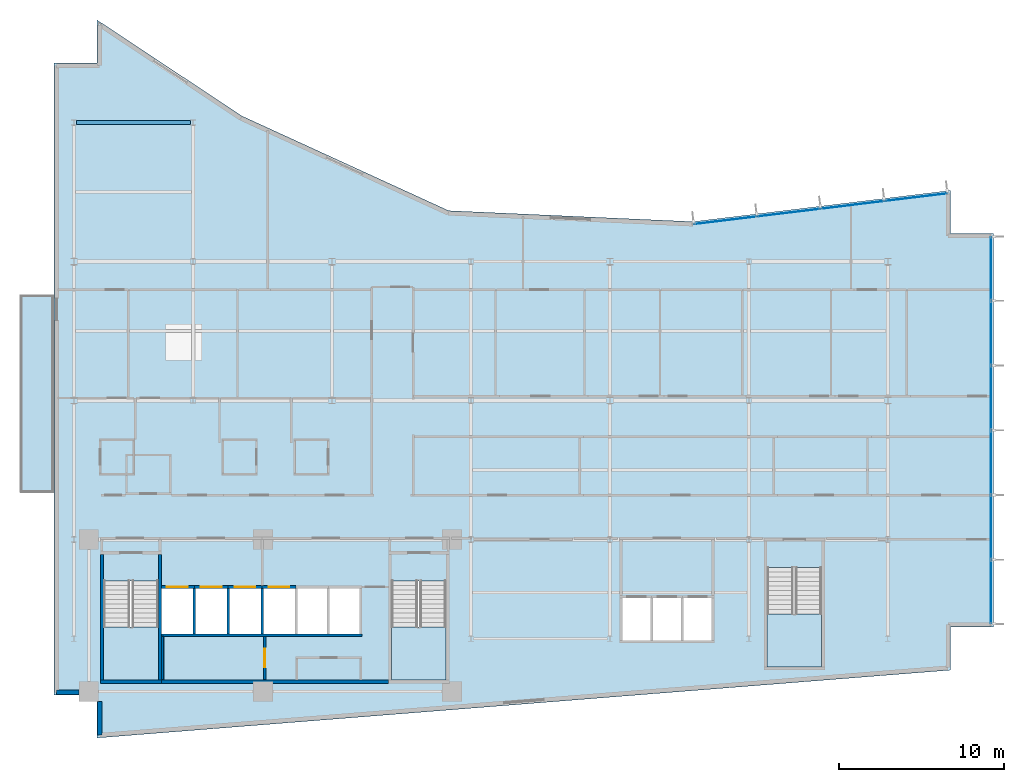
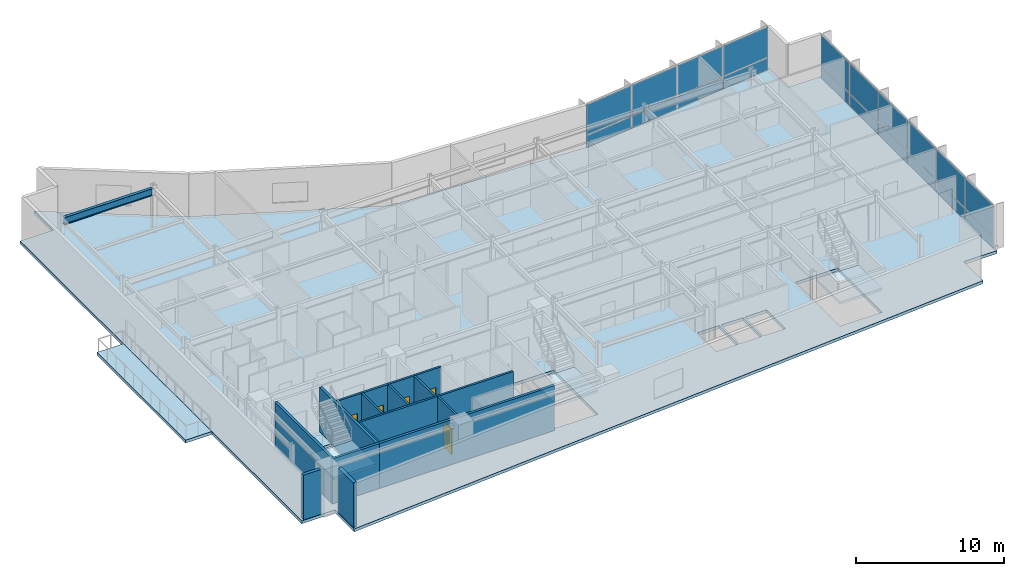
# One storey, part 9 of 17: 20 plates, 16 walls, 5 doors, 5 slabs, 1 beam, 5 openings, 5 elements without a shape of their own.
"""IFC4 building model written with IfcOpenShell, lengths in metres."""

import ifcopenshell
import ifcopenshell.guid

model = None  # the IFC model being written
_history = None  # IfcOwnerHistory: only IFC2X3 demands one
_inside = {}  # id of a spatial element -> (the spatial element, [elements in it])
_under = {}  # id of a project, library or spatial element -> (it, [spatial elements below it])
_declared = {}  # id of a project -> (the project, [libraries it declares])
_typed = {}  # id of a type object -> (the type object, [elements of that type])
_made_of = {}  # id of a material, layer set ... -> (it, [elements and type objects made of it])


def new_model(schema):
    """Start an empty IFC model of exactly this schema.

    Asked for "IFC4X3", IfcOpenShell would pick the latest addendum, in which some entities
    have other attributes; the version numbers below select the first issue.
    IFC2X3 requires an IfcOwnerHistory on every rooted entity: one is made here for all.
    """
    global model, _history
    if schema == "IFC4X3":
        model = ifcopenshell.file(schema_version=(4, 3, 0, 0))
    else:
        model = ifcopenshell.file(schema=schema)
    _inside.clear()
    _under.clear()
    _declared.clear()
    _typed.clear()
    _made_of.clear()
    _history = None
    if model.schema == "IFC2X3":
        org = make("IfcOrganization", Name="unknown")
        user = make(
            "IfcPersonAndOrganization",
            ThePerson=make("IfcPerson", FamilyName="unknown"),
            TheOrganization=org,
        )
        app = make(
            "IfcApplication",
            ApplicationDeveloper=org,
            Version="unknown",
            ApplicationFullName="unknown",
            ApplicationIdentifier="unknown",
        )
        _history = make(
            "IfcOwnerHistory",
            OwningUser=user,
            OwningApplication=app,
            ChangeAction="ADDED",
            CreationDate=0,
        )
    return model


def make(cls, **values):
    """One entity of the class cls with the attributes given. An attribute that is None is left unset."""
    return model.create_entity(
        cls, **{name: value for name, value in values.items() if value is not None}
    )


def rooted(cls, **values):
    """An entity with a GlobalId (a new one), such as an element, a storey or a relation."""
    return make(cls, GlobalId=ifcopenshell.guid.new(), OwnerHistory=_history, **values)


def si_unit(unit_type, name, prefix=None):
    """IfcSIUnit, for example si_unit("LENGTHUNIT", "METRE", prefix="MILLI")."""
    return make("IfcSIUnit", UnitType=unit_type, Prefix=prefix, Name=name)


def assignment(units):
    """IfcUnitAssignment: the units of a project."""
    return None if units is None else make("IfcUnitAssignment", Units=units)


def point(xyz):
    """IfcCartesianPoint."""
    return None if xyz is None else make("IfcCartesianPoint", Coordinates=xyz)


def direction(xyz):
    """IfcDirection."""
    return None if xyz is None else make("IfcDirection", DirectionRatios=xyz)


def frame(location, z_axis=None, x_axis=None):
    """IfcAxis2Placement3D, a coordinate frame: its origin and axes. An axis left out is left unset."""
    return make(
        "IfcAxis2Placement3D",
        Location=point(location),
        Axis=direction(z_axis),
        RefDirection=direction(x_axis),
    )


def frame_2d(location, x_axis=None):
    """IfcAxis2Placement2D, a coordinate frame in the plane: its origin and x axis."""
    return make(
        "IfcAxis2Placement2D", Location=point(location), RefDirection=direction(x_axis)
    )


def origin():
    """The frame at (0, 0, 0) with its axes left unset."""
    return frame((0.0, 0.0, 0.0))


def origin_2d():
    """The frame at (0, 0) in the plane with its x axis left unset."""
    return frame_2d((0.0, 0.0))


def place(relative_to, where):
    """IfcLocalPlacement: puts the frame where relative to a parent placement (None: the world)."""
    return make(
        "IfcLocalPlacement", PlacementRelTo=relative_to, RelativePlacement=where
    )


def context(
    kind, dimensions, precision=None, world=None, true_north=None, identifier=None
):
    """IfcGeometricRepresentationContext, for example the 3D "Model" context."""
    return make(
        "IfcGeometricRepresentationContext",
        ContextIdentifier=identifier,
        ContextType=kind,
        CoordinateSpaceDimension=dimensions,
        Precision=precision,
        WorldCoordinateSystem=world,
        TrueNorth=true_north,
    )


def subcontext(parent, identifier, kind, view, scale=None):
    """IfcGeometricRepresentationSubContext, for example "Body" below "Model"."""
    return make(
        "IfcGeometricRepresentationSubContext",
        ContextIdentifier=identifier,
        ContextType=kind,
        ParentContext=parent,
        TargetScale=scale,
        TargetView=view,
    )


def project(units=None, contexts=None):
    """IfcProject with its units and contexts."""
    return rooted(
        "IfcProject",
        Name="project",
        RepresentationContexts=contexts,
        UnitsInContext=assignment(units),
    )


def spatial(cls, under=None, at=None, **own):
    """A site, building, storey or space (cls), placed at a placement, below another one or the project."""
    s = rooted(cls, ObjectPlacement=at, **own)
    if under is not None:
        _under.setdefault(under.id(), (under, []))[1].append(s)
    return s


def polyline(points):
    """IfcPolyline through the points."""
    return make("IfcPolyline", Points=[point(p) for p in points])


def profile(cls, at=None, kind="AREA", **sizes):
    """A parametric profile (cls). Its sizes go by their IFC names, for example OverallWidth=200.0."""
    return make(cls, ProfileType=kind, Position=at, **sizes)


def rectangle(**sizes):
    """IfcRectangleProfileDef."""
    return profile("IfcRectangleProfileDef", **sizes)


def i_section(**sizes):
    """IfcIShapeProfileDef."""
    return profile("IfcIShapeProfileDef", **sizes)


def outline(outer, holes=None, kind="AREA"):
    """IfcArbitraryClosedProfileDef: a profile drawn as a closed curve; with holes, ...WithVoids."""
    if holes is None:
        return make("IfcArbitraryClosedProfileDef", ProfileType=kind, OuterCurve=outer)
    return make(
        "IfcArbitraryProfileDefWithVoids",
        ProfileType=kind,
        OuterCurve=outer,
        InnerCurves=holes,
    )


def extrude(swept, where, along, depth):
    """IfcExtrudedAreaSolid: the profile swept, set in the frame where, extruded along a direction by depth."""
    return make(
        "IfcExtrudedAreaSolid",
        SweptArea=swept,
        Position=where,
        ExtrudedDirection=direction(along),
        Depth=depth,
    )


def shape(context_of_items, identifier, shape_type, items):
    """IfcShapeRepresentation: the items that make up one representation, for example the "Body"."""
    return make(
        "IfcShapeRepresentation",
        ContextOfItems=context_of_items,
        RepresentationIdentifier=identifier,
        RepresentationType=shape_type,
        Items=items,
    )


def material(Name=None, Category=None):
    """IfcMaterial."""
    return make("IfcMaterial", Name=Name, Category=Category)


def layer(
    of_material, thickness, ventilated=None, Name=None, Category=None, Priority=None
):
    """IfcMaterialLayer: one layer of a wall or slab, of a material (None: an air gap)."""
    return make(
        "IfcMaterialLayer",
        Material=of_material,
        LayerThickness=thickness,
        IsVentilated=ventilated,
        Name=Name,
        Category=Category,
        Priority=Priority,
    )


def layer_set(layers, Name=None):
    """IfcMaterialLayerSet."""
    return make("IfcMaterialLayerSet", MaterialLayers=layers, LayerSetName=Name)


def material_profile(
    of_material, cross_section, Name=None, Category=None, Priority=None
):
    """IfcMaterialProfile: a cross section and its material."""
    return make(
        "IfcMaterialProfile",
        Name=Name,
        Material=of_material,
        Profile=cross_section,
        Priority=Priority,
        Category=Category,
    )


def profile_set(profiles, Name=None, composite=None):
    """IfcMaterialProfileSet."""
    return make(
        "IfcMaterialProfileSet",
        Name=Name,
        MaterialProfiles=profiles,
        CompositeProfile=composite,
    )


def made_of(thing, what):
    """Note that an element or type object is made of a material, layer set ...; save() writes the relation."""
    if what is not None:
        _made_of.setdefault(what.id(), (what, []))[1].append(thing)
    return thing


def type_object(cls, material=None, **own):
    """A type object (cls), such as IfcWallType, which elements share."""
    return made_of(rooted(cls, **own), material)


def element(
    cls,
    number,
    at=None,
    inside=None,
    cuts=None,
    type_object=None,
    material=None,
    context=None,
    identifier="Body",
    shape_type=None,
    held_by="IfcProductDefinitionShape",
    body=None,
    shapes=None,
    **own,
):
    """One element of the class cls, such as IfcWall. Its Tag is "e" and its number.

    at: its placement. inside: the storey or other place that contains it. cuts: it is an
    opening in that element (IfcRelVoidsElement). A single representation is given by context,
    identifier, shape_type and body (its items); several are given by shapes. held_by: the class
    of the entity that holds the representations. save() writes the other relations.
    """
    e = rooted(cls, Tag="e%d" % number, ObjectPlacement=at, **own)
    if body is not None:
        shapes = [shape(context, identifier, shape_type, body)]
    if shapes is not None:
        e.Representation = make(held_by, Representations=shapes)
    if inside is not None:
        _inside.setdefault(inside.id(), (inside, []))[1].append(e)
    if cuts is not None:
        rooted(
            "IfcRelVoidsElement", RelatingBuildingElement=cuts, RelatedOpeningElement=e
        )
    if type_object is not None:
        _typed.setdefault(type_object.id(), (type_object, []))[1].append(e)
    return made_of(e, material)


def fill(opening, filler):
    """IfcRelFillsElement: the door or window that sits in an opening."""
    return rooted(
        "IfcRelFillsElement",
        RelatingOpeningElement=opening,
        RelatedBuildingElement=filler,
    )


def aggregate(whole, parts):
    """IfcRelAggregates: a whole, such as a stair, and the parts it consists of."""
    return rooted("IfcRelAggregates", RelatingObject=whole, RelatedObjects=parts)


def save(model, path):
    """Write the relations noted so far, then the file.

    IfcRelAggregates (storeys below a building ...), IfcRelContainedInSpatialStructure (elements
    in a storey), IfcRelDefinesByType, IfcRelAssociatesMaterial and IfcRelDeclares: one each for
    every whole, place, type object, material and project.
    """
    for whole, parts in _under.values():
        aggregate(whole, parts)
    for where, things in _inside.values():
        rooted(
            "IfcRelContainedInSpatialStructure",
            RelatedElements=things,
            RelatingStructure=where,
        )
    for kind, things in _typed.values():
        rooted("IfcRelDefinesByType", RelatedObjects=things, RelatingType=kind)
    for what, things in _made_of.values():
        rooted("IfcRelAssociatesMaterial", RelatedObjects=things, RelatingMaterial=what)
    for by, libraries in _declared.values():
        rooted("IfcRelDeclares", RelatingContext=by, RelatedDefinitions=libraries)
    model.write(path)


model = new_model("IFC4")

# Units and contexts
model_context = context("Model", 3, precision=1e-05, world=origin(), true_north=direction((0.0, 1.0)))
body_context = subcontext(model_context, "Body", "Model", "MODEL_VIEW")
ifc_project = project(units=[si_unit("LENGTHUNIT", "METRE"), si_unit("AREAUNIT", "SQUARE_METRE"), si_unit("VOLUMEUNIT", "CUBIC_METRE"), si_unit("PLANEANGLEUNIT", "RADIAN"), si_unit("MASSUNIT", "GRAM", prefix="KILO")], contexts=[model_context])

# Site, building, storey
site_placement = place(None, origin())
site = spatial("IfcSite", under=ifc_project, at=site_placement, CompositionType="ELEMENT")
building_placement = place(site_placement, origin())
building = spatial("IfcBuilding", under=site, at=building_placement, Name="Varnakote Quay Hospital", CompositionType="ELEMENT")
storey_placement = place(building_placement, frame((0.0, 0.0, 127.050048828125)))
storey = spatial("IfcBuildingStorey", under=building, at=storey_placement, Name="L31", CompositionType="ELEMENT", Elevation=127.050048828125)

# Beam
ifc_material_1 = material(Name="Structural steel AS/NZS 3679.1 Grade 350 L0 (fy 340 MPa)", Category="steel")
ifc_material_profile = material_profile(ifc_material_1, i_section(OverallWidth=0.22802734375, OverallDepth=0.60205078125, WebThickness=0.010498046875, FlangeThickness=0.014892578125, FilletRadius=0.013916015625, at=origin_2d()), Name="610UB101")
ifc_profile_set = profile_set([ifc_material_profile], Name="Structural steel AS/NZS 3679.1 Grade 350 L0 (fy 340 MPa)")
beam_type = type_object("IfcBeamType", Name="BM-STL-610UB101", PredefinedType="BEAM", material=ifc_profile_set)
beam_placement = place(storey_placement, frame((1.3544921875, 37.199951171875, 3.408935546875), z_axis=(1.0, 0.0, 0.0), x_axis=(0.0, 1.0, 0.0)))
element("IfcBeam", 1, at=beam_placement, inside=storey, type_object=beam_type, Name="L31 Primary Floor Beam", PredefinedType="BEAM", context=body_context, shape_type="SweptSolid", body=[
    extrude(i_section(OverallWidth=0.22802734375, OverallDepth=0.60205078125, WebThickness=0.010498046875, FlangeThickness=0.014892578125, FilletRadius=0.013916015625, at=origin_2d()), origin(), (0.0, 0.0, 1.0), 6.89111328125),
])

# Curtain wall, plates
ifc_material_2 = material(Name="Anodised aluminium 6063-T6 Bronze", Category="aluminium")
ifc_layer_1 = layer(ifc_material_2, 0.205078125)
ifc_layer_set_1 = layer_set([ifc_layer_1], Name="Anodised aluminium 6063-T6 Bronze")
curtain_wall_type = type_object("IfcCurtainWallType", Name="CW-SYS-3", PredefinedType="NOTDEFINED", material=ifc_layer_set_1)
curtain_wall_1_placement = place(storey_placement, origin())
curtain_wall_1 = element("IfcCurtainWall", 2, at=curtain_wall_1_placement, inside=storey, type_object=curtain_wall_type, Name="L31 Unitised Bronze Curtain Wall 1", PredefinedType="NOTDEFINED")
ifc_material_3 = material(Name="Double-glazed low-E solar glass", Category="glass")
ifc_layer_2 = layer(ifc_material_3, 0.028076171875)
ifc_layer_set_2 = layer_set([ifc_layer_2], Name="Double-glazed low-E solar glass")
plate_type = type_object("IfcPlateType", Name="CW-PNL-GLZ-28", PredefinedType="CURTAIN_PANEL", material=ifc_layer_set_2)
plate_1_placement = place(storey_placement, frame((56.639892578125, 8.83544921875, 0.07470703125), z_axis=(0.0, 0.0, 1.0), x_axis=(0.0, 1.0, 0.0)))
plate_1 = element("IfcPlate", 3, at=plate_1_placement, type_object=plate_type, Name="-3-L31-1 panel 1.1", PredefinedType="CURTAIN_PANEL", context=body_context, shape_type="SweptSolid", body=[
    extrude(rectangle(XDim=3.80078125, YDim=0.028076171875, at=origin_2d()), origin(), (0.0, 0.0, 1.0), 0.987548828125),
])
plate_2_placement = place(storey_placement, frame((56.639892578125, 8.83544921875, 1.137451171875), z_axis=(0.0, 0.0, 1.0), x_axis=(0.0, 1.0, 0.0)))
plate_2 = element("IfcPlate", 4, at=plate_2_placement, type_object=plate_type, Name="-3-L31-1 panel 1.2", PredefinedType="CURTAIN_PANEL", context=body_context, shape_type="SweptSolid", body=[
    extrude(rectangle(XDim=3.80078125, YDim=0.028076171875, at=origin_2d()), origin(), (0.0, 0.0, 1.0), 2.49755859375),
])
plate_3_placement = place(storey_placement, frame((56.639892578125, 12.72998046875, 0.07470703125), z_axis=(0.0, 0.0, 1.0), x_axis=(0.0, 1.0, 0.0)))
plate_3 = element("IfcPlate", 5, at=plate_3_placement, type_object=plate_type, Name="-3-L31-1 panel 2.1", PredefinedType="CURTAIN_PANEL", context=body_context, shape_type="SweptSolid", body=[
    extrude(rectangle(XDim=3.83837890625, YDim=0.028076171875, at=origin_2d()), origin(), (0.0, 0.0, 1.0), 0.987548828125),
])
plate_4_placement = place(storey_placement, frame((56.639892578125, 12.72998046875, 1.137451171875), z_axis=(0.0, 0.0, 1.0), x_axis=(0.0, 1.0, 0.0)))
plate_4 = element("IfcPlate", 6, at=plate_4_placement, type_object=plate_type, Name="-3-L31-1 panel 2.2", PredefinedType="CURTAIN_PANEL", context=body_context, shape_type="SweptSolid", body=[
    extrude(rectangle(XDim=3.83837890625, YDim=0.028076171875, at=origin_2d()), origin(), (0.0, 0.0, 1.0), 2.49755859375),
])
plate_5_placement = place(storey_placement, frame((56.639892578125, 16.643310546875, 0.07470703125), z_axis=(0.0, 0.0, 1.0), x_axis=(0.0, 1.0, 0.0)))
plate_5 = element("IfcPlate", 7, at=plate_5_placement, type_object=plate_type, Name="-3-L31-1 panel 3.1", PredefinedType="CURTAIN_PANEL", context=body_context, shape_type="SweptSolid", body=[
    extrude(rectangle(XDim=3.83837890625, YDim=0.028076171875, at=origin_2d()), origin(), (0.0, 0.0, 1.0), 0.987548828125),
])
plate_6_placement = place(storey_placement, frame((56.639892578125, 16.643310546875, 1.137451171875), z_axis=(0.0, 0.0, 1.0), x_axis=(0.0, 1.0, 0.0)))
plate_6 = element("IfcPlate", 8, at=plate_6_placement, type_object=plate_type, Name="-3-L31-1 panel 3.2", PredefinedType="CURTAIN_PANEL", context=body_context, shape_type="SweptSolid", body=[
    extrude(rectangle(XDim=3.83837890625, YDim=0.028076171875, at=origin_2d()), origin(), (0.0, 0.0, 1.0), 2.49755859375),
])
plate_7_placement = place(storey_placement, frame((56.639892578125, 20.556640625, 0.07470703125), z_axis=(0.0, 0.0, 1.0), x_axis=(0.0, 1.0, 0.0)))
plate_7 = element("IfcPlate", 9, at=plate_7_placement, type_object=plate_type, Name="-3-L31-1 panel 4.1", PredefinedType="CURTAIN_PANEL", context=body_context, shape_type="SweptSolid", body=[
    extrude(rectangle(XDim=3.83837890625, YDim=0.028076171875, at=origin_2d()), origin(), (0.0, 0.0, 1.0), 0.987548828125),
])
plate_8_placement = place(storey_placement, frame((56.639892578125, 20.556640625, 1.137451171875), z_axis=(0.0, 0.0, 1.0), x_axis=(0.0, 1.0, 0.0)))
plate_8 = element("IfcPlate", 10, at=plate_8_placement, type_object=plate_type, Name="-3-L31-1 panel 4.2", PredefinedType="CURTAIN_PANEL", context=body_context, shape_type="SweptSolid", body=[
    extrude(rectangle(XDim=3.83837890625, YDim=0.028076171875, at=origin_2d()), origin(), (0.0, 0.0, 1.0), 2.49755859375),
])
plate_9_placement = place(storey_placement, frame((56.639892578125, 24.469970703125, 0.07470703125), z_axis=(0.0, 0.0, 1.0), x_axis=(0.0, 1.0, 0.0)))
plate_9 = element("IfcPlate", 11, at=plate_9_placement, type_object=plate_type, Name="-3-L31-1 panel 5.1", PredefinedType="CURTAIN_PANEL", context=body_context, shape_type="SweptSolid", body=[
    extrude(rectangle(XDim=3.83837890625, YDim=0.028076171875, at=origin_2d()), origin(), (0.0, 0.0, 1.0), 0.987548828125),
])
plate_10_placement = place(storey_placement, frame((56.639892578125, 24.469970703125, 1.137451171875), z_axis=(0.0, 0.0, 1.0), x_axis=(0.0, 1.0, 0.0)))
plate_10 = element("IfcPlate", 12, at=plate_10_placement, type_object=plate_type, Name="-3-L31-1 panel 5.2", PredefinedType="CURTAIN_PANEL", context=body_context, shape_type="SweptSolid", body=[
    extrude(rectangle(XDim=3.83837890625, YDim=0.028076171875, at=origin_2d()), origin(), (0.0, 0.0, 1.0), 2.49755859375),
])
plate_11_placement = place(storey_placement, frame((56.639892578125, 28.364501953125, 0.07470703125), z_axis=(0.0, 0.0, 1.0), x_axis=(0.0, 1.0, 0.0)))
plate_11 = element("IfcPlate", 13, at=plate_11_placement, type_object=plate_type, Name="-3-L31-1 panel 6.1", PredefinedType="CURTAIN_PANEL", context=body_context, shape_type="SweptSolid", body=[
    extrude(rectangle(XDim=3.80078125, YDim=0.028076171875, at=origin_2d()), origin(), (0.0, 0.0, 1.0), 0.987548828125),
])
plate_12_placement = place(storey_placement, frame((56.639892578125, 28.364501953125, 1.137451171875), z_axis=(0.0, 0.0, 1.0), x_axis=(0.0, 1.0, 0.0)))
plate_12 = element("IfcPlate", 14, at=plate_12_placement, type_object=plate_type, Name="-3-L31-1 panel 6.2", PredefinedType="CURTAIN_PANEL", context=body_context, shape_type="SweptSolid", body=[
    extrude(rectangle(XDim=3.80078125, YDim=0.028076171875, at=origin_2d()), origin(), (0.0, 0.0, 1.0), 2.49755859375),
])
aggregate(curtain_wall_1, [plate_1, plate_2, plate_3, plate_4, plate_5, plate_6, plate_7, plate_8, plate_9, plate_10, plate_11, plate_12])

curtain_wall_2_placement = place(storey_placement, origin())
curtain_wall_2 = element("IfcCurtainWall", 15, at=curtain_wall_2_placement, inside=storey, type_object=curtain_wall_type, Name="L31 Unitised Bronze Curtain Wall 2", PredefinedType="NOTDEFINED")
plate_13_placement = place(storey_placement, frame((52.09521484375, 32.68359375, 0.07470703125), z_axis=(0.0, 0.0, 1.0), x_axis=(-0.992734295067, -0.12032713492, 0.0)))
plate_13 = element("IfcPlate", 16, at=plate_13_placement, type_object=plate_type, Name="-3-L31-2 panel 1.1", PredefinedType="CURTAIN_PANEL", context=body_context, shape_type="SweptSolid", body=[
    extrude(rectangle(XDim=3.76806640625, YDim=0.028076171875, at=origin_2d()), origin(), (0.0, 0.0, 1.0), 0.987548828125),
])
plate_14_placement = place(storey_placement, frame((52.09521484375, 32.68359375, 1.137451171875), z_axis=(0.0, 0.0, 1.0), x_axis=(-0.992734295067, -0.12032713492, 0.0)))
plate_14 = element("IfcPlate", 17, at=plate_14_placement, type_object=plate_type, Name="-3-L31-2 panel 1.2", PredefinedType="CURTAIN_PANEL", context=body_context, shape_type="SweptSolid", body=[
    extrude(rectangle(XDim=3.76806640625, YDim=0.028076171875, at=origin_2d()), origin(), (0.0, 0.0, 1.0), 2.49755859375),
])
plate_15_placement = place(storey_placement, frame((48.26123046875, 32.218994140625, 0.07470703125), z_axis=(0.0, 0.0, 1.0), x_axis=(-0.992734295067, -0.12032713492, 0.0)))
plate_15 = element("IfcPlate", 18, at=plate_15_placement, type_object=plate_type, Name="-3-L31-2 panel 2.1", PredefinedType="CURTAIN_PANEL", context=body_context, shape_type="SweptSolid", body=[
    extrude(rectangle(XDim=3.8056640625, YDim=0.028076171875, at=origin_2d()), origin(), (0.0, 0.0, 1.0), 0.987548828125),
])
plate_16_placement = place(storey_placement, frame((48.26123046875, 32.218994140625, 1.137451171875), z_axis=(0.0, 0.0, 1.0), x_axis=(-0.992734295067, -0.12032713492, 0.0)))
plate_16 = element("IfcPlate", 19, at=plate_16_placement, type_object=plate_type, Name="-3-L31-2 panel 2.2", PredefinedType="CURTAIN_PANEL", context=body_context, shape_type="SweptSolid", body=[
    extrude(rectangle(XDim=3.8056640625, YDim=0.028076171875, at=origin_2d()), origin(), (0.0, 0.0, 1.0), 2.49755859375),
])
plate_17_placement = place(storey_placement, frame((44.40869140625, 31.751953125, 0.07470703125), z_axis=(0.0, 0.0, 1.0), x_axis=(-0.992734295067, -0.12032713492, 0.0)))
plate_17 = element("IfcPlate", 20, at=plate_17_placement, type_object=plate_type, Name="-3-L31-2 panel 3.1", PredefinedType="CURTAIN_PANEL", context=body_context, shape_type="SweptSolid", body=[
    extrude(rectangle(XDim=3.8056640625, YDim=0.028076171875, at=origin_2d()), origin(), (0.0, 0.0, 1.0), 0.987548828125),
])
plate_18_placement = place(storey_placement, frame((44.40869140625, 31.751953125, 1.137451171875), z_axis=(0.0, 0.0, 1.0), x_axis=(-0.992734295067, -0.12032713492, 0.0)))
plate_18 = element("IfcPlate", 21, at=plate_18_placement, type_object=plate_type, Name="-3-L31-2 panel 3.2", PredefinedType="CURTAIN_PANEL", context=body_context, shape_type="SweptSolid", body=[
    extrude(rectangle(XDim=3.8056640625, YDim=0.028076171875, at=origin_2d()), origin(), (0.0, 0.0, 1.0), 2.49755859375),
])
plate_19_placement = place(storey_placement, frame((40.574951171875, 31.287353515625, 0.07470703125), z_axis=(0.0, 0.0, 1.0), x_axis=(-0.992734295067, -0.12032713492, 0.0)))
plate_19 = element("IfcPlate", 22, at=plate_19_placement, type_object=plate_type, Name="-3-L31-2 panel 4.1", PredefinedType="CURTAIN_PANEL", context=body_context, shape_type="SweptSolid", body=[
    extrude(rectangle(XDim=3.76806640625, YDim=0.028076171875, at=origin_2d()), origin(), (0.0, 0.0, 1.0), 0.987548828125),
])
plate_20_placement = place(storey_placement, frame((40.574951171875, 31.287353515625, 1.137451171875), z_axis=(0.0, 0.0, 1.0), x_axis=(-0.992734295067, -0.12032713492, 0.0)))
plate_20 = element("IfcPlate", 23, at=plate_20_placement, type_object=plate_type, Name="-3-L31-2 panel 4.2", PredefinedType="CURTAIN_PANEL", context=body_context, shape_type="SweptSolid", body=[
    extrude(rectangle(XDim=3.76806640625, YDim=0.028076171875, at=origin_2d()), origin(), (0.0, 0.0, 1.0), 2.49755859375),
])
aggregate(curtain_wall_2, [plate_13, plate_14, plate_15, plate_16, plate_17, plate_18, plate_19, plate_20])

# Stair, slab
ifc_material_4 = material(Name="Concrete N40 (f'c 40 MPa)", Category="concrete")
stair_type = type_object("IfcStairType", Name="STR-CORE-1580", PredefinedType="HALF_TURN_STAIR", material=ifc_material_4)
stair_1_placement = place(storey_placement, origin())
stair_1 = element("IfcStair", 24, at=stair_1_placement, inside=storey, type_object=stair_type, Name="L31 Fire-Isolated Exit Stair ST-01", PredefinedType="HALF_TURN_STAIR")
ifc_material_5 = material(Name="Concrete N40 (f'c 40 MPa)", Category="concrete")
ifc_layer_3 = layer(ifc_material_5, 0.199951171875)
ifc_layer_set_3 = layer_set([ifc_layer_3], Name="Concrete N40 (f'c 40 MPa)")
slab_type_1 = type_object("IfcSlabType", Name="SLB-STAIR-LND-200", PredefinedType="LANDING", material=ifc_layer_set_3)
slab_1_placement = place(storey_placement, frame((0.0, 0.0, 1.77490234375)))
slab_1 = element("IfcSlab", 25, at=slab_1_placement, type_object=slab_type_1, Name="ST-01 landing 1", PredefinedType="LANDING", context=body_context, shape_type="SweptSolid", body=[
    extrude(outline(polyline([(3.0, 6.699951171875), (3.0, 3.5), (6.300048828125, 3.5), (6.300048828125, 6.699951171875), (3.0, 6.699951171875)])), origin(), (0.0, 0.0, 1.0), 0.199951171875),
])
aggregate(stair_1, [slab_1])

stair_2_placement = place(storey_placement, origin())
stair_2 = element("IfcStair", 26, at=stair_2_placement, inside=storey, type_object=stair_type, Name="L31 Fire-Isolated Exit Stair ST-02", PredefinedType="HALF_TURN_STAIR")
slab_2_placement = place(storey_placement, frame((0.0, 0.0, 1.77490234375)))
slab_2 = element("IfcSlab", 27, at=slab_2_placement, type_object=slab_type_1, Name="ST-02 landing 1", PredefinedType="LANDING", context=body_context, shape_type="SweptSolid", body=[
    extrude(outline(polyline([(20.39990234375, 6.699951171875), (20.39990234375, 3.5), (23.699951171875, 3.5), (23.699951171875, 6.699951171875), (20.39990234375, 6.699951171875)])), origin(), (0.0, 0.0, 1.0), 0.199951171875),
])
aggregate(stair_2, [slab_2])

stair_3_placement = place(storey_placement, origin())
stair_3 = element("IfcStair", 28, at=stair_3_placement, inside=storey, type_object=stair_type, Name="L31 Fire-Isolated Exit Stair ST-03", PredefinedType="HALF_TURN_STAIR")
slab_3_placement = place(storey_placement, frame((0.0, 0.0, 1.77490234375)))
slab_3 = element("IfcSlab", 29, at=slab_3_placement, type_object=slab_type_1, Name="ST-03 landing 1", PredefinedType="LANDING", context=body_context, shape_type="SweptSolid", body=[
    extrude(outline(polyline([(43.10009765625, 7.5), (43.10009765625, 4.300048828125), (46.39990234375, 4.300048828125), (46.39990234375, 7.5), (43.10009765625, 7.5)])), origin(), (0.0, 0.0, 1.0), 0.199951171875),
])
aggregate(stair_3, [slab_3])

# Slabs
ifc_material_6 = material(Name="Concrete N50 (f'c 50 MPa)", Category="concrete")
ifc_layer_4 = layer(ifc_material_6, 0.239990234375)
ifc_layer_set_4 = layer_set([ifc_layer_4], Name="Concrete N50 (f'c 50 MPa)")
slab_type_2 = type_object("IfcSlabType", Name="SLB-TERR-200", PredefinedType="FLOOR", material=ifc_layer_set_4)
slab_4_placement = place(storey_placement, frame((0.0, 0.0, -0.239990234375)))
element("IfcSlab", 30, at=slab_4_placement, inside=storey, type_object=slab_type_2, Name="L31 Waterfront Healing Terrace Slab", PredefinedType="FLOOR", context=body_context, shape_type="SweptSolid", body=[
    extrude(outline(polyline([(0.00390625, 14.800048828125), (0.00390625, 26.800048828125), (-2.06005859375, 26.800048828125), (-2.06005859375, 14.800048828125), (0.00390625, 14.800048828125)])), origin(), (0.0, 0.0, 1.0), 0.239990234375),
])
ifc_material_7 = material(Name="Concrete N50 (f'c 50 MPa)", Category="concrete")
ifc_layer_5 = layer(ifc_material_7, 0.239990234375)
ifc_layer_set_5 = layer_set([ifc_layer_5], Name="Concrete N50 (f'c 50 MPa)")
slab_type_3 = type_object("IfcSlabType", Name="SLB-WARD-200", PredefinedType="FLOOR", material=ifc_layer_set_5)
slab_5_placement = place(storey_placement, frame((0.0, 0.0, -0.239990234375)))
element("IfcSlab", 31, at=slab_5_placement, inside=storey, type_object=slab_type_3, Name="L31 Primary Floor Slab", PredefinedType="FLOOR", context=body_context, shape_type="SweptSolid", body=[
    extrude(outline(polyline([(0.0, 2.60009765625), (2.60009765625, 2.60009765625), (2.60009765625, 0.0), (54.199951171875, 4.10009765625), (54.199951171875, 6.699951171875), (56.800048828125, 6.699951171875), (56.800048828125, 30.5), (54.199951171875, 30.5), (54.199951171875, 33.10009765625), (38.6240234375, 31.2119140625), (23.85595703125, 31.8740234375), (11.360107421875, 37.595947265625), (2.60009765625, 43.39990234375), (2.60009765625, 40.800048828125), (0.0, 40.800048828125), (0.0, 2.60009765625)]), holes=[polyline([(3.0, 3.5), (6.300048828125, 3.5), (6.300048828125, 9.49951171875), (3.0, 9.49951171875), (3.0, 3.5)]), polyline([(20.39990234375, 3.5), (23.699951171875, 3.5), (23.699951171875, 9.49951171875), (20.39990234375, 9.49951171875), (20.39990234375, 3.5)]), polyline([(43.10009765625, 4.300048828125), (46.39990234375, 4.300048828125), (46.39990234375, 10.29931640625), (43.10009765625, 10.29931640625), (43.10009765625, 4.300048828125)]), polyline([(6.5, 6.300048828125), (8.39990234375, 6.300048828125), (8.39990234375, 9.050048828125), (6.5, 9.050048828125), (6.5, 6.300048828125)]), polyline([(8.550048828125, 6.300048828125), (10.449951171875, 6.300048828125), (10.449951171875, 9.050048828125), (8.550048828125, 9.050048828125), (8.550048828125, 6.300048828125)]), polyline([(10.60009765625, 6.300048828125), (12.5, 6.300048828125), (12.5, 9.050048828125), (10.60009765625, 9.050048828125), (10.60009765625, 6.300048828125)]), polyline([(12.64990234375, 6.300048828125), (14.550048828125, 6.300048828125), (14.550048828125, 9.050048828125), (12.64990234375, 9.050048828125), (12.64990234375, 6.300048828125)]), polyline([(14.699951171875, 6.300048828125), (16.5, 6.300048828125), (16.5, 9.050048828125), (14.699951171875, 9.050048828125), (14.699951171875, 6.300048828125)]), polyline([(16.64990234375, 6.300048828125), (18.449951171875, 6.300048828125), (18.449951171875, 9.050048828125), (16.64990234375, 9.050048828125), (16.64990234375, 6.300048828125)]), polyline([(34.35009765625, 5.89990234375), (36.050048828125, 5.89990234375), (36.050048828125, 8.449951171875), (34.35009765625, 8.449951171875), (34.35009765625, 5.89990234375)]), polyline([(36.199951171875, 5.89990234375), (37.89990234375, 5.89990234375), (37.89990234375, 8.449951171875), (36.199951171875, 8.449951171875), (36.199951171875, 5.89990234375)]), polyline([(38.050048828125, 5.89990234375), (39.75, 5.89990234375), (39.75, 8.449951171875), (38.050048828125, 8.449951171875), (38.050048828125, 5.89990234375)])]), origin(), (0.0, 0.0, 1.0), 0.239990234375),
])

# Walls
ifc_material_8 = material(Name="Concrete N65 (f'c 65 MPa)", Category="concrete")
ifc_layer_6 = layer(ifc_material_8, 0.199951171875)
ifc_layer_set_6 = layer_set([ifc_layer_6], Name="Concrete N65 (f'c 65 MPa)")
wall_type_1 = type_object("IfcWallType", Name="WL-CORE-N65-200", PredefinedType="SHEAR", material=ifc_layer_set_6)
wall_1_placement = place(storey_placement, frame((6.5, 3.39990234375, 0.0), z_axis=(0.0, 0.0, 1.0), x_axis=(1.0, 0.0, 0.0)))
element("IfcWall", 32, at=wall_1_placement, inside=storey, type_object=wall_type_1, Name="L31 Rear Core South Shear Wall", PredefinedType="SHEAR", context=body_context, shape_type="SweptSolid", body=[
    extrude(rectangle(XDim=13.699951171875, YDim=0.199951171875, at=frame_2d((6.85009765625, 0.0))), origin(), (0.0, 0.0, 1.0), 3.7099609375),
])
ifc_material_9 = material(Name="Precast concrete N50 (f'c 50 MPa)", Category="concrete")
ifc_layer_7 = layer(ifc_material_9, 0.260009765625)
ifc_layer_set_7 = layer_set([ifc_layer_7], Name="Precast concrete N50 (f'c 50 MPa)")
wall_type_2 = type_object("IfcWallType", Name="WL-EXT-BRICK-260", PredefinedType="STANDARD", material=ifc_layer_set_7)
wall_2_placement = place(storey_placement, frame((2.760009765625, 2.215087890625, 0.0), z_axis=(0.0, 0.0, 1.0), x_axis=(0.0, -1.0, 0.0)))
element("IfcWall", 33, at=wall_2_placement, inside=storey, type_object=wall_type_2, Name="L31 Brick-Faced Precast Exterior Wall", PredefinedType="STANDARD", context=body_context, shape_type="SweptSolid", body=[
    extrude(rectangle(XDim=2.0419921875, YDim=0.260009765625, at=frame_2d((1.02099609375, 0.0))), origin(), (0.0, 0.0, 1.0), 3.7099609375),
])
wall_3_placement = place(storey_placement, frame((0.159912109375, 2.760009765625, 0.0), z_axis=(0.0, 0.0, 1.0), x_axis=(1.0, 0.0, 0.0)))
element("IfcWall", 34, at=wall_3_placement, inside=storey, type_object=wall_type_2, Name="L31 Brick-Faced Precast Exterior Wall", PredefinedType="STANDARD", context=body_context, shape_type="SweptSolid", body=[
    extrude(rectangle(XDim=1.35498046875, YDim=0.260009765625, at=frame_2d((0.677490234375, 0.0))), origin(), (0.0, 0.0, 1.0), 3.7099609375),
])
ifc_material_10 = material(Name="Concrete N50 (f'c 50 MPa)", Category="concrete")
ifc_layer_8 = layer(ifc_material_10, 0.14990234375)
ifc_layer_set_8 = layer_set([ifc_layer_8], Name="Concrete N50 (f'c 50 MPa)")
wall_type_3 = type_object("IfcWallType", Name="WL-SHAFT-N50-150", PredefinedType="SHEAR", material=ifc_layer_set_8)
for number, where, z_axis, x_axis, name in (
    (35, (8.47509765625, 6.300048828125, 0.0), (0.0, 0.0, 1.0), (0.0, 1.0, 0.0), "L31 LF-FF1 Hoistway Divider Wall"),
    (36, (10.52490234375, 6.300048828125, 0.0), (0.0, 0.0, 1.0), (0.0, 1.0, 0.0), "L31 LF-FF2 Hoistway Divider Wall"),
    (37, (12.574951171875, 6.300048828125, 0.0), (0.0, 0.0, 1.0), (0.0, 1.0, 0.0), "L31 LF-SV1 Hoistway Divider Wall"),
):
    element("IfcWall", number, at=place(storey_placement, frame(where, z_axis=z_axis, x_axis=x_axis)), inside=storey, type_object=wall_type_3, Name=name, PredefinedType="SHEAR", context=body_context, shape_type="SweptSolid", body=[
        extrude(rectangle(XDim=2.75, YDim=0.14990234375, at=frame_2d((1.375, 0.0))), origin(), (0.0, 0.0, 1.0), 3.7099609375),
    ])
ifc_material_11 = material(Name="Concrete N50 (f'c 50 MPa)", Category="concrete")
ifc_layer_9 = layer(ifc_material_11, 0.159912109375)
ifc_layer_set_9 = layer_set([ifc_layer_9], Name="Concrete N50 (f'c 50 MPa)")
wall_type_4 = type_object("IfcWallType", Name="WL-SHAFT-N50-160", PredefinedType="SHEAR", material=ifc_layer_set_9)
wall_4_placement = place(storey_placement, frame((6.5, 6.219970703125, 0.0), z_axis=(0.0, 0.0, 1.0), x_axis=(1.0, 0.0, 0.0)))
element("IfcWall", 38, at=wall_4_placement, inside=storey, type_object=wall_type_4, Name="L31 REAR Lift Bank Back Shear Wall", PredefinedType="SHEAR", context=body_context, shape_type="SweptSolid", body=[
    extrude(rectangle(XDim=12.110107421875, YDim=0.159912109375, at=frame_2d((6.05517578125, 0.0))), origin(), (0.0, 0.0, 1.0), 3.7099609375),
])

# Wall, opening, door
wall_5_placement = place(storey_placement, frame((6.5, 9.1298828125, 0.0), z_axis=(0.0, 0.0, 1.0), x_axis=(1.0, 0.0, 0.0)))
wall_5 = element("IfcWall", 39, at=wall_5_placement, inside=storey, type_object=wall_type_4, Name="L31 LF-FF1 Hoistway Front Wall", PredefinedType="SHEAR", context=body_context, shape_type="SweptSolid", body=[
    extrude(rectangle(XDim=1.97509765625, YDim=0.159912109375, at=frame_2d((0.987548828125, 0.0))), origin(), (0.0, 0.0, 1.0), 3.7099609375),
])
opening_1_placement = place(wall_5_placement, frame((0.324951171875, 0.0, 0.0)))
opening_1 = element("IfcOpeningElement", 40, at=opening_1_placement, cuts=wall_5, Name="Opening LD-FF1-L31", PredefinedType="OPENING", context=body_context, shape_type="SweptSolid", body=[
    extrude(rectangle(XDim=1.25, YDim=2.14990234375, at=frame_2d((0.625, 1.074951171875))), frame((0.0, 0.08984375, 0.0), z_axis=(0.0, -1.0, 0.0), x_axis=(1.0, 0.0, 0.0)), (0.0, 0.0, 1.0), 0.179931640625),
])
ifc_material_12 = material(Name="Stainless steel lift landing sliding door", Category="steel")
door_type_1 = type_object("IfcDoorType", Name="DR-LIFT-LD-1250x2150", OperationType="NOTDEFINED", PredefinedType="DOOR", material=ifc_material_12)
door_1_placement = place(opening_1_placement, origin())
door_1 = element("IfcDoor", 41, at=door_1_placement, inside=storey, type_object=door_type_1, Name="L31 LF-FF1 Lift Landing Sliding Door", OperationType="SLIDING_TO_LEFT", OverallHeight=2.14990234375, OverallWidth=1.25, PredefinedType="DOOR", context=body_context, shape_type="SweptSolid", body=[
    extrude(rectangle(XDim=1.25, YDim=2.14990234375, at=frame_2d((0.625, 1.074951171875))), frame((0.0, 0.02490234375, 0.0), z_axis=(0.0, -1.0, 0.0), x_axis=(1.0, 0.0, 0.0)), (0.0, 0.0, 1.0), 0.050048828125),
])
fill(opening_1, door_1)

wall_6_placement = place(storey_placement, frame((8.47509765625, 9.1298828125, 0.0), z_axis=(0.0, 0.0, 1.0), x_axis=(1.0, 0.0, 0.0)))
wall_6 = element("IfcWall", 42, at=wall_6_placement, inside=storey, type_object=wall_type_4, Name="L31 LF-FF2 Hoistway Front Wall", PredefinedType="SHEAR", context=body_context, shape_type="SweptSolid", body=[
    extrude(rectangle(XDim=2.0498046875, YDim=0.159912109375, at=frame_2d((1.02490234375, 0.0))), origin(), (0.0, 0.0, 1.0), 3.7099609375),
])
opening_2_placement = place(wall_6_placement, frame((0.39990234375, 0.0, 0.0)))
opening_2 = element("IfcOpeningElement", 43, at=opening_2_placement, cuts=wall_6, Name="Opening LD-FF2-L31", PredefinedType="OPENING", context=body_context, shape_type="SweptSolid", body=[
    extrude(rectangle(XDim=1.25, YDim=2.14990234375, at=frame_2d((0.625, 1.074951171875))), frame((0.0, 0.08984375, 0.0), z_axis=(0.0, -1.0, 0.0), x_axis=(1.0, 0.0, 0.0)), (0.0, 0.0, 1.0), 0.179931640625),
])
door_2_placement = place(opening_2_placement, origin())
door_2 = element("IfcDoor", 44, at=door_2_placement, inside=storey, type_object=door_type_1, Name="L31 LF-FF2 Lift Landing Sliding Door", OperationType="SLIDING_TO_LEFT", OverallHeight=2.14990234375, OverallWidth=1.25, PredefinedType="DOOR", context=body_context, shape_type="SweptSolid", body=[
    extrude(rectangle(XDim=1.25, YDim=2.14990234375, at=frame_2d((0.625, 1.074951171875))), frame((0.0, 0.02490234375, 0.0), z_axis=(0.0, -1.0, 0.0), x_axis=(1.0, 0.0, 0.0)), (0.0, 0.0, 1.0), 0.050048828125),
])
fill(opening_2, door_2)

wall_7_placement = place(storey_placement, frame((10.52490234375, 9.1298828125, 0.0), z_axis=(0.0, 0.0, 1.0), x_axis=(1.0, 0.0, 0.0)))
wall_7 = element("IfcWall", 45, at=wall_7_placement, inside=storey, type_object=wall_type_4, Name="L31 LF-SV1 Hoistway Front Wall", PredefinedType="SHEAR", context=body_context, shape_type="SweptSolid", body=[
    extrude(rectangle(XDim=2.050048828125, YDim=0.159912109375, at=frame_2d((1.02490234375, 0.0))), origin(), (0.0, 0.0, 1.0), 3.7099609375),
])
opening_3_placement = place(wall_7_placement, frame((0.39990234375, 0.0, 0.0)))
opening_3 = element("IfcOpeningElement", 46, at=opening_3_placement, cuts=wall_7, Name="Opening LD-SV1-L31", PredefinedType="OPENING", context=body_context, shape_type="SweptSolid", body=[
    extrude(rectangle(XDim=1.25, YDim=2.14990234375, at=frame_2d((0.625, 1.074951171875))), frame((0.0, 0.08984375, 0.0), z_axis=(0.0, -1.0, 0.0), x_axis=(1.0, 0.0, 0.0)), (0.0, 0.0, 1.0), 0.179931640625),
])
door_3_placement = place(opening_3_placement, origin())
door_3 = element("IfcDoor", 47, at=door_3_placement, inside=storey, type_object=door_type_1, Name="L31 LF-SV1 Lift Landing Sliding Door", OperationType="SLIDING_TO_LEFT", OverallHeight=2.14990234375, OverallWidth=1.25, PredefinedType="DOOR", context=body_context, shape_type="SweptSolid", body=[
    extrude(rectangle(XDim=1.25, YDim=2.14990234375, at=frame_2d((0.625, 1.074951171875))), frame((0.0, 0.02490234375, 0.0), z_axis=(0.0, -1.0, 0.0), x_axis=(1.0, 0.0, 0.0)), (0.0, 0.0, 1.0), 0.050048828125),
])
fill(opening_3, door_3)

wall_8_placement = place(storey_placement, frame((12.574951171875, 9.1298828125, 0.0), z_axis=(0.0, 0.0, 1.0), x_axis=(1.0, 0.0, 0.0)))
wall_8 = element("IfcWall", 48, at=wall_8_placement, inside=storey, type_object=wall_type_4, Name="L31 LF-SV2 Hoistway Front Wall", PredefinedType="SHEAR", context=body_context, shape_type="SweptSolid", body=[
    extrude(rectangle(XDim=2.050048828125, YDim=0.159912109375, at=frame_2d((1.02490234375, 0.0))), origin(), (0.0, 0.0, 1.0), 3.7099609375),
])
opening_4_placement = place(wall_8_placement, frame((0.39990234375, 0.0, 0.0)))
opening_4 = element("IfcOpeningElement", 49, at=opening_4_placement, cuts=wall_8, Name="Opening LD-SV2-L31", PredefinedType="OPENING", context=body_context, shape_type="SweptSolid", body=[
    extrude(rectangle(XDim=1.25, YDim=2.14990234375, at=frame_2d((0.625, 1.074951171875))), frame((0.0, 0.08984375, 0.0), z_axis=(0.0, -1.0, 0.0), x_axis=(1.0, 0.0, 0.0)), (0.0, 0.0, 1.0), 0.179931640625),
])
door_4_placement = place(opening_4_placement, origin())
door_4 = element("IfcDoor", 50, at=door_4_placement, inside=storey, type_object=door_type_1, Name="L31 LF-SV2 Lift Landing Sliding Door", OperationType="SLIDING_TO_LEFT", OverallHeight=2.14990234375, OverallWidth=1.25, PredefinedType="DOOR", context=body_context, shape_type="SweptSolid", body=[
    extrude(rectangle(XDim=1.25, YDim=2.14990234375, at=frame_2d((0.625, 1.074951171875))), frame((0.0, 0.02490234375, 0.0), z_axis=(0.0, -1.0, 0.0), x_axis=(1.0, 0.0, 0.0)), (0.0, 0.0, 1.0), 0.050048828125),
])
fill(opening_4, door_4)

# Walls
ifc_material_13 = material(Name="Concrete N50 (f'c 50 MPa)", Category="concrete")
ifc_layer_10 = layer(ifc_material_13, 0.199951171875)
ifc_layer_set_10 = layer_set([ifc_layer_10], Name="Concrete N50 (f'c 50 MPa)")
wall_type_5 = type_object("IfcWallType", Name="WL-SHAFT-N50-200", PredefinedType="SHEAR", material=ifc_layer_set_10)
wall_9_placement = place(storey_placement, frame((2.800048828125, 3.39990234375, 0.0), z_axis=(0.0, 0.0, 1.0), x_axis=(1.0, 0.0, 0.0)))
element("IfcWall", 51, at=wall_9_placement, inside=storey, type_object=wall_type_5, Name="L31 Stair ST1 South Shaft Wall", PredefinedType="SHEAR", context=body_context, shape_type="SweptSolid", body=[
    extrude(rectangle(XDim=3.699951171875, YDim=0.199951171875, at=frame_2d((1.85009765625, 0.0))), origin(), (0.0, 0.0, 1.0), 3.7099609375),
])
for number, where, z_axis, x_axis, name in (
    (52, (2.89990234375, 3.5, 0.0), (0.0, 0.0, 1.0), (0.0, 1.0, 0.0), "L31 Stair ST1 West Shaft Wall"),
    (53, (6.39990234375, 3.5, 0.0), (0.0, 0.0, 1.0), (0.0, 1.0, 0.0), "L31 Stair ST1 East Shaft Wall"),
):
    element("IfcWall", number, at=place(storey_placement, frame(where, z_axis=z_axis, x_axis=x_axis)), inside=storey, type_object=wall_type_5, Name=name, PredefinedType="SHEAR", context=body_context, shape_type="SweptSolid", body=[
        extrude(rectangle(XDim=7.60009765625, YDim=0.199951171875, at=frame_2d((3.800048828125, 0.0))), origin(), (0.0, 0.0, 1.0), 3.7099609375),
    ])
ifc_material_14 = material(Name="Smoke-proof clinical partition", Category="gypsum")
ifc_layer_11 = layer(ifc_material_14, 0.1201171875)
ifc_layer_set_11 = layer_set([ifc_layer_11], Name="Smoke-proof clinical partition")
wall_type_6 = type_object("IfcWallType", Name="WL-SMOKE-120", PredefinedType="PARTITIONING", material=ifc_layer_set_11)
wall_10_placement = place(storey_placement, frame((6.56005859375, 3.52001953125, 0.0), z_axis=(0.0, 0.0, 1.0), x_axis=(0.0, 1.0, 0.0)))
element("IfcWall", 54, at=wall_10_placement, inside=storey, type_object=wall_type_6, Name="L31 Core West Store West Wall", PredefinedType="PARTITIONING", context=body_context, shape_type="SweptSolid", body=[
    extrude(rectangle(XDim=2.619873046875, YDim=0.1201171875, at=frame_2d((1.31005859375, 0.0))), origin(), (0.0, 0.0, 1.0), 3.7099609375),
])

# Wall, opening, door
ifc_material_15 = material(Name="Fire-rated clinical gypsum partition", Category="gypsum")
ifc_layer_12 = layer(ifc_material_15, 0.139892578125)
ifc_layer_set_12 = layer_set([ifc_layer_12], Name="Fire-rated clinical gypsum partition")
wall_type_7 = type_object("IfcWallType", Name="WL-WARD-140", PredefinedType="PARTITIONING", material=ifc_layer_set_12)
wall_11_placement = place(storey_placement, frame((12.72998046875, 3.52001953125, 0.0), z_axis=(0.0, 0.0, 1.0), x_axis=(0.0, 1.0, 0.0)))
wall_11 = element("IfcWall", 55, at=wall_11_placement, inside=storey, type_object=wall_type_7, Name="L31 Core Clean Equipment Store East Wall", PredefinedType="PARTITIONING", context=body_context, shape_type="SweptSolid", body=[
    extrude(rectangle(XDim=2.619873046875, YDim=0.139892578125, at=frame_2d((1.31005859375, 0.0))), origin(), (0.0, 0.0, 1.0), 3.7099609375),
])
opening_5_placement = place(wall_11_placement, frame((0.760009765625, 0.0, 0.0)))
opening_5 = element("IfcOpeningElement", 56, at=opening_5_placement, cuts=wall_11, Name="Opening D-L31-CR01", PredefinedType="OPENING", context=body_context, shape_type="SweptSolid", body=[
    extrude(rectangle(XDim=1.10009765625, YDim=2.10009765625, at=frame_2d((0.550048828125, 1.050048828125))), frame((0.0, 0.079833984375, 0.0), z_axis=(0.0, -1.0, 0.0), x_axis=(1.0, 0.0, 0.0)), (0.0, 0.0, 1.0), 0.159912109375),
])
ifc_material_16 = material(Name="Acoustic timber clinical consult door", Category="wood")
door_type_2 = type_object("IfcDoorType", Name="DR-CLIN-FD30S-1100x2100", OperationType="NOTDEFINED", PredefinedType="DOOR", material=ifc_material_16)
door_5_placement = place(opening_5_placement, origin())
door_5 = element("IfcDoor", 57, at=door_5_placement, inside=storey, type_object=door_type_2, Name="L31 Core Clean Equipment Store Door", OperationType="SINGLE_SWING_RIGHT", OverallHeight=2.10009765625, OverallWidth=1.10009765625, PredefinedType="DOOR", context=body_context, shape_type="SweptSolid", body=[
    extrude(rectangle(XDim=1.10009765625, YDim=2.10009765625, at=frame_2d((0.550048828125, 1.050048828125))), frame((0.0, 0.02490234375, 0.0), z_axis=(0.0, -1.0, 0.0), x_axis=(1.0, 0.0, 0.0)), (0.0, 0.0, 1.0), 0.050048828125),
])
fill(opening_5, door_5)

save(model, "model.ifc")
